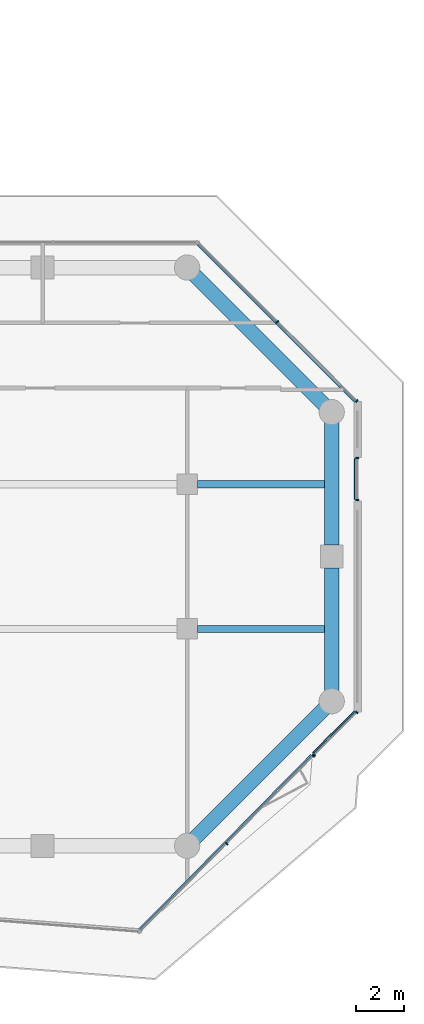
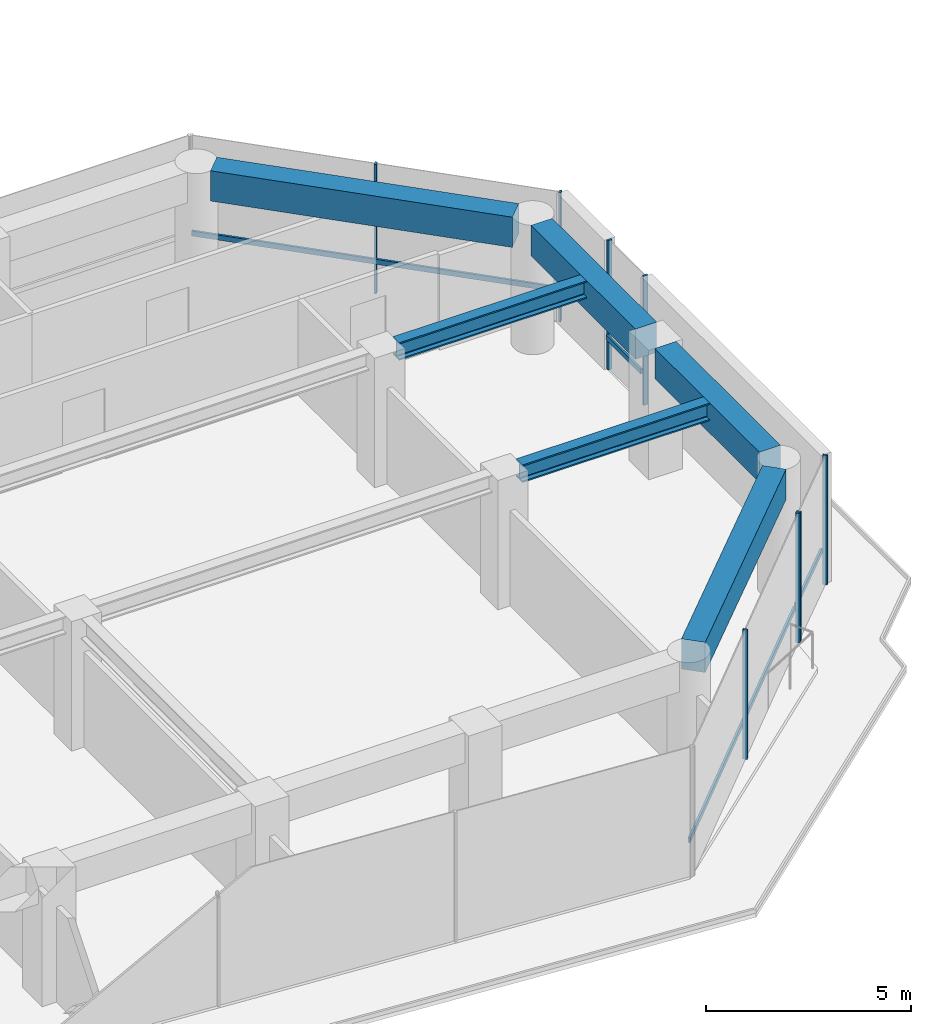
# One storey, part 20 of 29: 12 members, 6 beams, 4 elements without a shape of their own.
"""IFC4 building model written with IfcOpenShell, lengths in metres."""

from ifc_helpers import new_model, si_unit, direction, frame, origin, origin_2d, place, context, subcontext, project, spatial, rectangle, i_section, extrude, material, layer, layer_set, material_profile, profile_set, type_object, element, aggregate, save


model = new_model("IFC4")

# Units and contexts
model_context = context("Model", 3, precision=1e-05, world=origin(), true_north=direction((0.0, 1.0)))
body_context = subcontext(model_context, "Body", "Model", "MODEL_VIEW")
ifc_project = project(units=[si_unit("LENGTHUNIT", "METRE"), si_unit("AREAUNIT", "SQUARE_METRE"), si_unit("VOLUMEUNIT", "CUBIC_METRE"), si_unit("PLANEANGLEUNIT", "RADIAN"), si_unit("MASSUNIT", "GRAM", prefix="KILO")], contexts=[model_context])

# Site, building, storey
site_placement = place(None, origin())
site = spatial("IfcSite", under=ifc_project, at=site_placement, CompositionType="ELEMENT")
building_placement = place(site_placement, origin())
building = spatial("IfcBuilding", under=site, at=building_placement, Name="Welwitschia Terrace Campus", CompositionType="ELEMENT")
storey_placement = place(building_placement, frame((0.0, 0.0, 33.199951171875)))
storey = spatial("IfcBuildingStorey", under=building, at=storey_placement, Name="L07", CompositionType="ELEMENT", Elevation=33.199951171875)

# Beams
ifc_material_1 = material(Name="Steel S355", Category="steel")
ifc_material_profile_1 = material_profile(ifc_material_1, i_section(OverallWidth=0.305908203125, OverallDepth=0.52392578125, WebThickness=0.02099609375, FlangeThickness=0.0400390625, FilletRadius=0.027099609375, at=origin_2d()))
ifc_profile_set_1 = profile_set([ifc_material_profile_1], Name="Steel S355")
beam_type_1 = type_object("IfcBeamType", Name="Interior girder HE 500 M", PredefinedType="BEAM", material=ifc_profile_set_1)
for number, where, z_axis, x_axis, name in (
    (1, (60.425537109375, 5.0, 3.588134765625), (1.0, 0.0, 0.0), (0.0, 1.0, 0.0), "Girder GB2"),
    (2, (60.425537109375, 11.0, 3.588134765625), (1.0, 0.0, 0.0), (0.0, 1.0, 0.0), "Girder GB2"),
):
    element("IfcBeam", number, at=place(storey_placement, frame(where, z_axis=z_axis, x_axis=x_axis)), inside=storey, type_object=beam_type_1, Name=name, PredefinedType="BEAM", context=body_context, shape_type="SweptSolid", body=[
        extrude(i_section(OverallWidth=0.305908203125, OverallDepth=0.52392578125, WebThickness=0.02099609375, FlangeThickness=0.0400390625, FilletRadius=0.027099609375, at=origin_2d()), origin(), (0.0, 0.0, 1.0), 5.58447265625),
    ])

# Curtain wall, members
ifc_material_2 = material(Name="Bronze anodised aluminium", Category="aluminium")
ifc_layer = layer(ifc_material_2, 0.1201171875)
ifc_layer_set = layer_set([ifc_layer], Name="Bronze anodised aluminium")
curtain_wall_type = type_object("IfcCurtainWallType", Name="Curtain wall CW2 tower 6000", PredefinedType="NOTDEFINED", material=ifc_layer_set)
curtain_wall_1_placement = place(storey_placement, origin())
curtain_wall_1 = element("IfcCurtainWall", 3, at=curtain_wall_1_placement, inside=storey, type_object=curtain_wall_type, Name="CW L07.7.0", PredefinedType="NOTDEFINED")
ifc_material_3 = material(Name="Bronze anodised aluminium", Category="aluminium")
ifc_material_profile_2 = material_profile(ifc_material_3, rectangle(XDim=0.1201171875, YDim=0.06005859375, at=origin_2d()))
ifc_profile_set_2 = profile_set([ifc_material_profile_2], Name="Bronze anodised aluminium")
member_type_1 = type_object("IfcMemberType", Name="Mullion 60x120", PredefinedType="MULLION", material=ifc_profile_set_2)
member_1_placement = place(storey_placement, frame((61.64208984375, -3.907958984375, 0.0), z_axis=(0.0, 0.0, 1.0), x_axis=(-0.712316301232, 0.701858594732, 0.0)))
member_1 = element("IfcMember", 4, at=member_1_placement, type_object=member_type_1, Name="Mullion L07.7.0.1", PredefinedType="MULLION", context=body_context, shape_type="SweptSolid", body=[
    extrude(rectangle(XDim=0.1201171875, YDim=0.06005859375, at=origin_2d()), origin(), (0.0, 0.0, 1.0), 3.85009765625),
])
member_2_placement = place(storey_placement, frame((65.229248046875, -0.26708984375, 0.0), z_axis=(0.0, 0.0, 1.0), x_axis=(-0.712316301232, 0.701858594732, 0.0)))
member_2 = element("IfcMember", 5, at=member_2_placement, type_object=member_type_1, Name="Mullion L07.7.0.2", PredefinedType="MULLION", context=body_context, shape_type="SweptSolid", body=[
    extrude(rectangle(XDim=0.1201171875, YDim=0.06005859375, at=origin_2d()), origin(), (0.0, 0.0, 1.0), 3.85009765625),
])

curtain_wall_2_placement = place(storey_placement, origin())
curtain_wall_2 = element("IfcCurtainWall", 6, at=curtain_wall_2_placement, inside=storey, type_object=curtain_wall_type, Name="CW L07.8.0", PredefinedType="NOTDEFINED")
member_3_placement = place(storey_placement, frame((65.271728515625, -0.224609375, 0.0), z_axis=(0.0, 0.0, 1.0), x_axis=(-0.707106781187, 0.707106781187, 0.0)))
member_3 = element("IfcMember", 7, at=member_3_placement, type_object=member_type_1, Name="Mullion L07.8.0.0", PredefinedType="MULLION", context=body_context, shape_type="SweptSolid", body=[
    extrude(rectangle(XDim=0.1201171875, YDim=0.06005859375, at=origin_2d()), origin(), (0.0, 0.0, 1.0), 3.85009765625),
])
member_4_placement = place(storey_placement, frame((67.036865234375, 1.54052734375, 0.0), z_axis=(0.0, 0.0, 1.0), x_axis=(-0.707106781187, 0.707106781187, 0.0)))
member_4 = element("IfcMember", 8, at=member_4_placement, type_object=member_type_1, Name="Mullion L07.8.0.1", PredefinedType="MULLION", context=body_context, shape_type="SweptSolid", body=[
    extrude(rectangle(XDim=0.1201171875, YDim=0.06005859375, at=origin_2d()), origin(), (0.0, 0.0, 1.0), 3.85009765625),
])

curtain_wall_3_placement = place(storey_placement, origin())
curtain_wall_3 = element("IfcCurtainWall", 9, at=curtain_wall_3_placement, inside=storey, type_object=curtain_wall_type, Name="CW L07.9.S0", PredefinedType="NOTDEFINED")
member_5_placement = place(storey_placement, frame((67.05810546875, 10.34912109375, 0.0), z_axis=(0.0, 0.0, 1.0), x_axis=(-1.0, 0.0, 0.0)))
member_5 = element("IfcMember", 10, at=member_5_placement, type_object=member_type_1, Name="Mullion L07.9.S0.0", PredefinedType="MULLION", context=body_context, shape_type="SweptSolid", body=[
    extrude(rectangle(XDim=0.1201171875, YDim=0.06005859375, at=origin_2d()), origin(), (0.0, 0.0, 1.0), 3.85009765625),
])
member_6_placement = place(storey_placement, frame((67.05810546875, 12.089111328125, 0.0), z_axis=(0.0, 0.0, 1.0), x_axis=(-1.0, 0.0, 0.0)))
member_6 = element("IfcMember", 11, at=member_6_placement, type_object=member_type_1, Name="Mullion L07.9.S0.1", PredefinedType="MULLION", context=body_context, shape_type="SweptSolid", body=[
    extrude(rectangle(XDim=0.1201171875, YDim=0.06005859375, at=origin_2d()), origin(), (0.0, 0.0, 1.0), 3.85009765625),
])

curtain_wall_4_placement = place(storey_placement, origin())
curtain_wall_4 = element("IfcCurtainWall", 12, at=curtain_wall_4_placement, inside=storey, type_object=curtain_wall_type, Name="CW L07.10.0", PredefinedType="NOTDEFINED")
member_7_placement = place(storey_placement, frame((67.036865234375, 14.45947265625, 0.0), z_axis=(0.0, 0.0, 1.0), x_axis=(-0.707106781187, -0.707106781187, 0.0)))
member_7 = element("IfcMember", 13, at=member_7_placement, type_object=member_type_1, Name="Mullion L07.10.0.0", PredefinedType="MULLION", context=body_context, shape_type="SweptSolid", body=[
    extrude(rectangle(XDim=0.1201171875, YDim=0.06005859375, at=origin_2d()), origin(), (0.0, 0.0, 1.0), 3.85009765625),
])
member_8_placement = place(storey_placement, frame((63.748046875, 17.748046875, 0.0), z_axis=(0.0, 0.0, 1.0), x_axis=(-0.707106781187, -0.707106781187, 0.0)))
member_8 = element("IfcMember", 14, at=member_8_placement, type_object=member_type_1, Name="Mullion L07.10.0.1", PredefinedType="MULLION", context=body_context, shape_type="SweptSolid", body=[
    extrude(rectangle(XDim=0.1201171875, YDim=0.06005859375, at=origin_2d()), origin(), (0.0, 0.0, 1.0), 3.85009765625),
])

# Beams
ifc_material_4 = material(Name="Concrete C60/75", Category="concrete")
ifc_material_profile_3 = material_profile(ifc_material_4, rectangle(XDim=0.60009765625, YDim=0.89990234375, at=origin_2d()))
ifc_profile_set_3 = profile_set([ifc_material_profile_3], Name="Concrete C60/75")
beam_type_2 = type_object("IfcBeamType", Name="Ring spandrel 600x900", PredefinedType="SPANDREL", material=ifc_profile_set_3)
beam_1_placement = place(storey_placement, frame((60.30517578125, -3.69482421875, 3.400146484375), z_axis=(0.707106781187, 0.707106781187, 0.0), x_axis=(-0.707106781187, 0.707106781187, 0.0)))
element("IfcBeam", 15, at=beam_1_placement, inside=storey, type_object=beam_type_2, Name="Spandrel SP2", PredefinedType="SPANDREL", context=body_context, shape_type="SweptSolid", body=[
    extrude(rectangle(XDim=0.60009765625, YDim=0.89990234375, at=origin_2d()), origin(), (0.0, 0.0, 1.0), 7.6220703125),
])
for number, where, z_axis, x_axis, name in (
    (16, (66.0, 2.431396484375, 3.400146484375), (0.0, 1.0, 0.0), (-1.0, 0.0, 0.0), "Spandrel SP2"),
    (17, (66.0, 8.4755859375, 3.400146484375), (0.0, 1.0, 0.0), (-1.0, 0.0, 0.0), "Spandrel SP2"),
):
    element("IfcBeam", number, at=place(storey_placement, frame(where, z_axis=z_axis, x_axis=x_axis)), inside=storey, type_object=beam_type_2, Name=name, PredefinedType="SPANDREL", context=body_context, shape_type="SweptSolid", body=[
        extrude(rectangle(XDim=0.60009765625, YDim=0.89990234375, at=origin_2d()), origin(), (0.0, 0.0, 1.0), 5.093017578125),
    ])
beam_2_placement = place(storey_placement, frame((65.69482421875, 14.30517578125, 3.400146484375), z_axis=(-0.707106781187, 0.707106781187, 0.0), x_axis=(-0.707106781187, -0.707106781187, 0.0)))
element("IfcBeam", 18, at=beam_2_placement, inside=storey, type_object=beam_type_2, Name="Spandrel SP2", PredefinedType="SPANDREL", context=body_context, shape_type="SweptSolid", body=[
    extrude(rectangle(XDim=0.60009765625, YDim=0.89990234375, at=origin_2d()), origin(), (0.0, 0.0, 1.0), 7.6220703125),
])

# Member
ifc_material_5 = material(Name="Bronze anodised aluminium", Category="aluminium")
ifc_material_profile_4 = material_profile(ifc_material_5, rectangle(XDim=0.06005859375, YDim=0.14990234375, at=origin_2d()))
ifc_profile_set_4 = profile_set([ifc_material_profile_4], Name="Bronze anodised aluminium")
member_type_2 = type_object("IfcMemberType", Name="Transom 60x150", PredefinedType="USERDEFINED", material=ifc_profile_set_4)
member_9_placement = place(storey_placement, frame((58.01171875, -7.464111328125, 1.0), z_axis=(0.70186224669, 0.712312702871, 0.0), x_axis=(-0.712312702871, 0.70186224669, 0.0)))
member_9 = element("IfcMember", 19, at=member_9_placement, type_object=member_type_2, Name="Transom L07.7.0", ObjectType="TRANSOM", PredefinedType="USERDEFINED", context=body_context, shape_type="SweptSolid", body=[
    extrude(rectangle(XDim=0.06005859375, YDim=0.14990234375, at=origin_2d()), origin(), (0.0, 0.0, 1.0), 10.162353515625),
])

aggregate(curtain_wall_1, [member_1, member_2, member_9])

member_10_placement = place(storey_placement, frame((65.229248046875, -0.1396484375, 1.0), z_axis=(0.707106781187, 0.707106781187, 0.0), x_axis=(-0.707106781187, 0.707106781187, 0.0)))
member_10 = element("IfcMember", 20, at=member_10_placement, type_object=member_type_2, Name="Transom L07.8.0", ObjectType="TRANSOM", PredefinedType="USERDEFINED", context=body_context, shape_type="SweptSolid", body=[
    extrude(rectangle(XDim=0.06005859375, YDim=0.14990234375, at=origin_2d()), origin(), (0.0, 0.0, 1.0), 2.436279296875),
])

aggregate(curtain_wall_2, [member_3, member_4, member_10])

member_11_placement = place(storey_placement, frame((66.968017578125, 10.379150390625, 1.0), z_axis=(0.0, 1.0, 0.0), x_axis=(-1.0, 0.0, 0.0)))
member_11 = element("IfcMember", 21, at=member_11_placement, type_object=member_type_2, Name="Transom L07.9.S0", ObjectType="TRANSOM", PredefinedType="USERDEFINED", context=body_context, shape_type="SweptSolid", body=[
    extrude(rectangle(XDim=0.06005859375, YDim=0.14990234375, at=origin_2d()), origin(), (0.0, 0.0, 1.0), 1.679931640625),
])

aggregate(curtain_wall_3, [member_5, member_6, member_11])

member_12_placement = place(storey_placement, frame((66.951904296875, 14.4169921875, 1.0), z_axis=(-0.707106781187, 0.707106781187, 0.0), x_axis=(-0.707106781187, -0.707106781187, 0.0)))
member_12 = element("IfcMember", 22, at=member_12_placement, type_object=member_type_2, Name="Transom L07.10.0", ObjectType="TRANSOM", PredefinedType="USERDEFINED", context=body_context, shape_type="SweptSolid", body=[
    extrude(rectangle(XDim=0.06005859375, YDim=0.14990234375, at=origin_2d()), origin(), (0.0, 0.0, 1.0), 9.24169921875),
])

aggregate(curtain_wall_4, [member_7, member_8, member_12])

save(model, "model.ifc")
